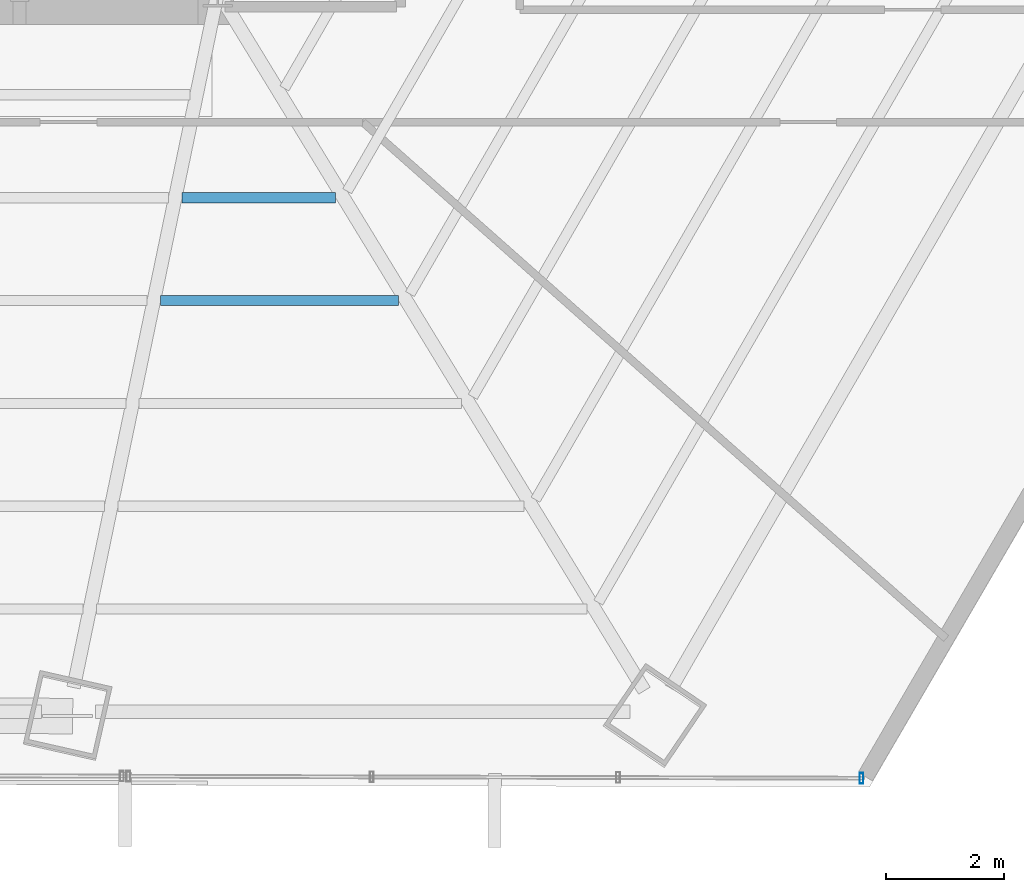
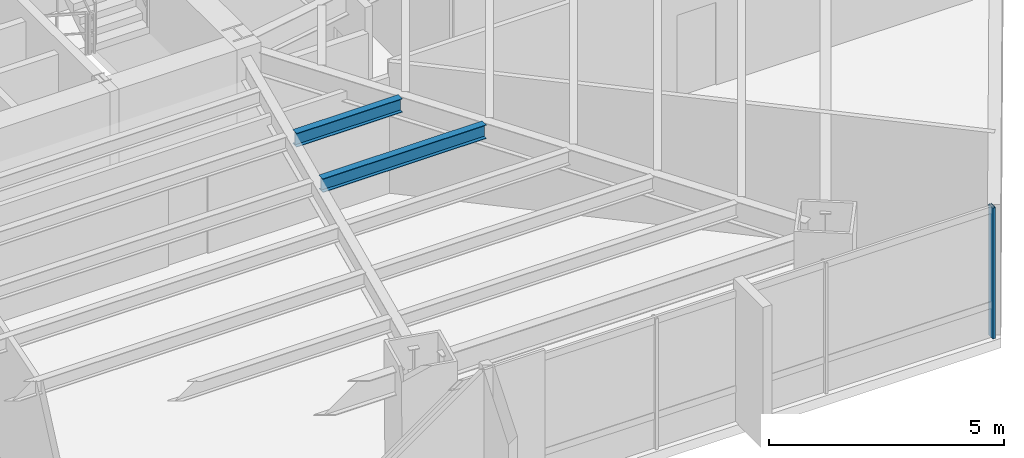
# One storey, part 18 of 37: 2 beams, 1 member, 1 element without a shape of its own.
"""IFC4 building model written with IfcOpenShell, lengths in metres."""

from ifc_helpers import new_model, si_unit, direction, frame, origin, origin_2d, place, context, subcontext, project, spatial, hollow_rectangle, i_section, extrude, source, transform, mapped, material, material_profile, profile_set, type_object, type_shapes, element, aggregate, save


model = new_model("IFC4")

# Units and contexts
model_context = context("Model", 3, precision=1e-05, world=origin(), true_north=direction((0.0, 1.0)))
body_context = subcontext(model_context, "Body", "Model", "MODEL_VIEW")
ifc_project = project(units=[si_unit("LENGTHUNIT", "METRE"), si_unit("AREAUNIT", "SQUARE_METRE"), si_unit("VOLUMEUNIT", "CUBIC_METRE"), si_unit("PLANEANGLEUNIT", "RADIAN"), si_unit("MASSUNIT", "GRAM", prefix="KILO")], contexts=[model_context])

# Site, building, storey
site_placement = place(None, origin())
site = spatial("IfcSite", under=ifc_project, at=site_placement, CompositionType="ELEMENT")
building_placement = place(site_placement, origin())
building = spatial("IfcBuilding", under=site, at=building_placement, Name="Caelisora Broadcast Tower", CompositionType="ELEMENT")
storey_placement = place(building_placement, frame((0.0, 0.0, 45.85009765625)))
storey = spatial("IfcBuildingStorey", under=building, at=storey_placement, Name="L11", CompositionType="ELEMENT", Elevation=45.85009765625)

# Beams
ifc_material_1 = material(Name="Steel Grade 350 (AS/NZS 3679.1)", Category="steel")
ifc_material_profile_1 = material_profile(ifc_material_1, i_section(OverallWidth=0.172119140625, OverallDepth=0.358642578125, WebThickness=0.008056640625, FlangeThickness=0.012939453125, at=origin_2d()), Name="Steel Grade 350 (AS/NZS 3679.1)")
ifc_profile_set_1 = profile_set([ifc_material_profile_1], Name="Steel Grade 350 (AS/NZS 3679.1)")
beam_type = type_object("IfcBeamType", Name="SB02", PredefinedType="JOIST", material=ifc_profile_set_1)
shared_shape_1 = source(origin(), body_context, "Body", "SweptSolid", [
    extrude(i_section(OverallWidth=0.172119140625, OverallDepth=0.358642578125, WebThickness=0.008056640625, FlangeThickness=0.012939453125, at=origin_2d()), origin(), (0.0, 0.0, 1.0), 2.599365234375),
])
beam_1_placement = place(storey_placement, frame((44.89208984375, 13.923828125, 3.220703125), z_axis=(1.0, 0.0, 0.0), x_axis=(0.0, 1.0, 0.0)))
element("IfcBeam", 1, at=beam_1_placement, inside=storey, type_object=beam_type, Name="L11 beam SB02", PredefinedType="JOIST", context=body_context, shape_type="MappedRepresentation", body=[
    mapped(shared_shape_1, transform((0.0, 0.0, 0.0), scale=1.0)),
])
shared_shape_2 = source(origin(), body_context, "Body", "SweptSolid", [
    extrude(i_section(OverallWidth=0.172119140625, OverallDepth=0.358642578125, WebThickness=0.008056640625, FlangeThickness=0.012939453125, at=origin_2d()), origin(), (0.0, 0.0, 1.0), 4.02099609375),
])
type_shapes(beam_type, [shared_shape_1, shared_shape_2])
beam_2_placement = place(storey_placement, frame((44.531494140625, 12.185791015625, 3.220703125), z_axis=(1.0, 0.0, 0.0), x_axis=(0.0, 1.0, 0.0)))
element("IfcBeam", 2, at=beam_2_placement, inside=storey, type_object=beam_type, Name="L11 beam SB02", PredefinedType="JOIST", context=body_context, shape_type="MappedRepresentation", body=[
    mapped(shared_shape_2, transform((0.0, 0.0, 0.0), scale=1.0)),
])

# Curtain wall, member
ifc_material_2 = material(Name="Unitised Aluminium and Low-E Glass Curtain Wall", Category="glass")
curtain_wall_type = type_object("IfcCurtainWallType", Name="CW-Z1", PredefinedType="NOTDEFINED", material=ifc_material_2)
curtain_wall_placement = place(storey_placement, origin())
curtain_wall = element("IfcCurtainWall", 3, at=curtain_wall_placement, inside=storey, type_object=curtain_wall_type, Name="L11 curtain wall CW-Z1", PredefinedType="NOTDEFINED")
ifc_material_3 = material(Name="Aluminium 6063-T6 Anodised Terracotta Bronze", Category="aluminium")
ifc_material_profile_2 = material_profile(ifc_material_3, hollow_rectangle(XDim=0.06494140625, YDim=0.179931640625, WallThickness=0.00341796875, at=origin_2d()), Name="Aluminium 6063-T6 Anodised Terracotta Bronze")
ifc_profile_set_2 = profile_set([ifc_material_profile_2], Name="Aluminium 6063-T6 Anodised Terracotta Bronze")
member_type = type_object("IfcMemberType", Name="CWM-02", PredefinedType="MULLION", material=ifc_profile_set_2)
shared_shape_3 = source(origin(), body_context, "Body", "SweptSolid", [
    extrude(hollow_rectangle(XDim=0.06494140625, YDim=0.179931640625, WallThickness=0.00341796875, at=origin_2d()), origin(), (0.0, 0.0, 1.0), 3.39990234375),
])
type_shapes(member_type, [shared_shape_3])
member_placement = place(storey_placement, frame((56.3779296875, 4.112060546875, 0.0), z_axis=(0.0, 0.0, 1.0), x_axis=(1.0, 0.0, 0.0)))
member = element("IfcMember", 4, at=member_placement, type_object=member_type, Name="L11-CW-B05 mullion #0", PredefinedType="MULLION", context=body_context, shape_type="MappedRepresentation", body=[
    mapped(shared_shape_3, transform((0.0, 0.0, 0.0), scale=1.0)),
])
aggregate(curtain_wall, [member])

save(model, "model.ifc")
